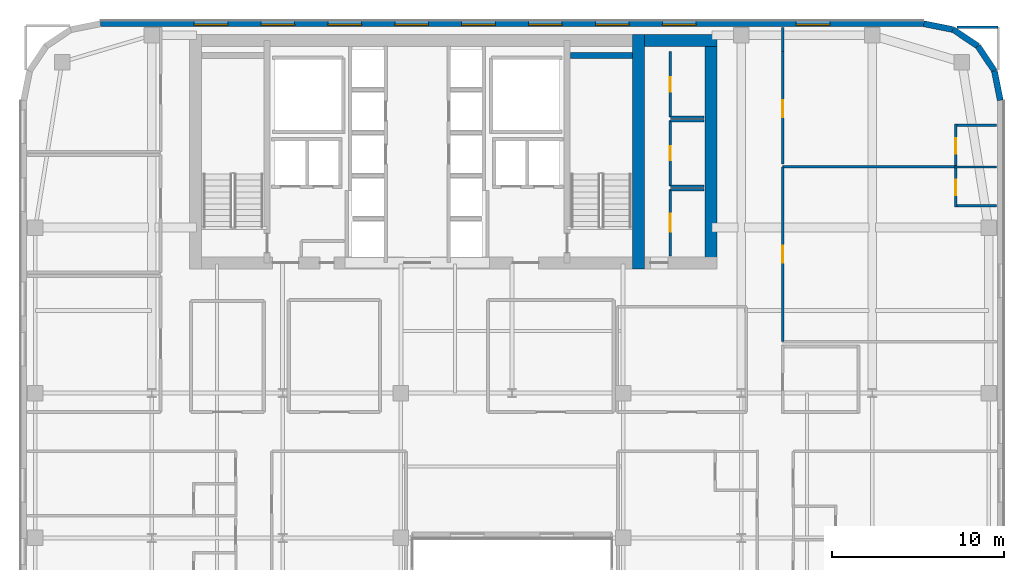
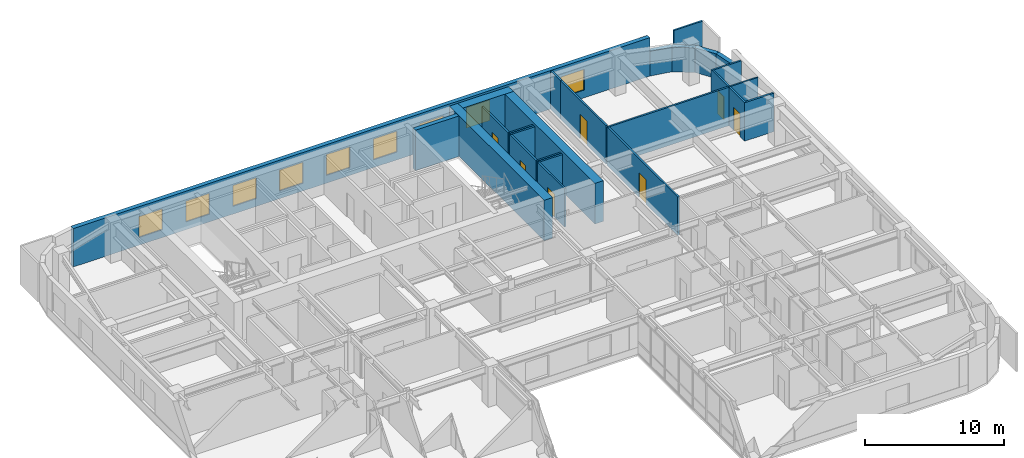
# One storey, part 19 of 25: 26 walls, 9 windows, 7 doors, 16 openings.
"""IFC4 building model written with IfcOpenShell, lengths in metres."""

from ifc_helpers import new_model, si_unit, direction, frame, frame_2d, origin, place, context, subcontext, project, spatial, rectangle, extrude, source, transform, mapped, material, layer, layer_set, type_object, type_shapes, element, fill, save


model = new_model("IFC4")

# Units and contexts
model_context = context("Model", 3, precision=1e-05, world=origin(), true_north=direction((0.0, 1.0)))
body_context = subcontext(model_context, "Body", "Model", "MODEL_VIEW")
ifc_project = project(units=[si_unit("LENGTHUNIT", "METRE"), si_unit("AREAUNIT", "SQUARE_METRE"), si_unit("VOLUMEUNIT", "CUBIC_METRE"), si_unit("PLANEANGLEUNIT", "RADIAN"), si_unit("MASSUNIT", "GRAM", prefix="KILO")], contexts=[model_context])

# Site, building, storey
site_placement = place(None, origin())
site = spatial("IfcSite", under=ifc_project, at=site_placement, CompositionType="ELEMENT")
building_placement = place(site_placement, origin())
building = spatial("IfcBuilding", under=site, at=building_placement, Name="Tolvann Quenvar Hotel", CompositionType="ELEMENT")
storey_placement = place(building_placement, frame((0.0, 0.0, 111.550048828125)))
storey = spatial("IfcBuildingStorey", under=building, at=storey_placement, Name="L28", CompositionType="ELEMENT", Elevation=111.550048828125)

# Walls
ifc_material_1 = material(Name="Concrete S65 (65 MPa)", Category="concrete")
ifc_layer_1 = layer(ifc_material_1, 0.699951171875)
ifc_layer_set_1 = layer_set([ifc_layer_1], Name="Concrete S65 (65 MPa)")
wall_type_1 = type_object("IfcWallType", Name="WALL_CORE_700", PredefinedType="SHEAR", material=ifc_layer_set_1)
wall_1_placement = place(storey_placement, frame((35.85009765625, 31.60009765625, 0.0), z_axis=(0.0, 0.0, 1.0), x_axis=(0.0, 1.0, 0.0)))
element("IfcWall", 1, at=wall_1_placement, inside=storey, type_object=wall_type_1, Name="Rear Core E Shear Wall (L28)", PredefinedType="SHEAR", context=body_context, shape_type="SweptSolid", body=[
    extrude(rectangle(XDim=13.599853515625, YDim=0.699951171875, at=frame_2d((6.7998046875, 0.0))), origin(), (0.0, 0.0, 1.0), 3.550048828125),
])
wall_2_placement = place(storey_placement, frame((36.199951171875, 44.85009765625, 0.0), z_axis=(0.0, 0.0, 1.0), x_axis=(1.0, 0.0, 0.0)))
element("IfcWall", 2, at=wall_2_placement, inside=storey, type_object=wall_type_1, Name="Core East Annex Shear Wall ANN-N (L28)", PredefinedType="SHEAR", context=body_context, shape_type="SweptSolid", body=[
    extrude(rectangle(XDim=4.199951171875, YDim=0.699951171875, at=frame_2d((2.10009765625, 0.0))), origin(), (0.0, 0.0, 1.0), 3.550048828125),
])
wall_3_placement = place(storey_placement, frame((40.050048828125, 31.60009765625, 0.0), z_axis=(0.0, 0.0, 1.0), x_axis=(0.0, 1.0, 0.0)))
element("IfcWall", 3, at=wall_3_placement, inside=storey, type_object=wall_type_1, Name="Core East Annex Shear Wall ANN-E (L28)", PredefinedType="SHEAR", context=body_context, shape_type="SweptSolid", body=[
    extrude(rectangle(XDim=13.599853515625, YDim=0.699951171875, at=frame_2d((6.7998046875, 0.0))), origin(), (0.0, 0.0, 1.0), 3.550048828125),
])
ifc_layer_2 = layer(ifc_material_1, 0.35009765625)
ifc_layer_set_2 = layer_set([ifc_layer_2], Name="Concrete S65 (65 MPa)")
wall_type_2 = type_object("IfcWallType", Name="WALL_CORE_INT_350", PredefinedType="SHEAR", material=ifc_layer_set_2)
wall_4_placement = place(storey_placement, frame((31.8798828125, 43.97509765625, 0.0), z_axis=(0.0, 0.0, 1.0), x_axis=(1.0, 0.0, 0.0)))
element("IfcWall", 4, at=wall_4_placement, inside=storey, type_object=wall_type_2, Name="Core Stair North Closing Shear Wall STC2-N (L28)", PredefinedType="SHEAR", context=body_context, shape_type="SweptSolid", body=[
    extrude(rectangle(XDim=3.60009765625, YDim=0.35009765625, at=frame_2d((1.800048828125, 0.0))), origin(), (0.0, 0.0, 1.0), 3.550048828125),
])
ifc_material_2 = material(Name="Kiln-fired red and buff architectural clay brickwork and terracotta masonry", Category="masonry")
ifc_layer_3 = layer(ifc_material_2, 0.35009765625)
ifc_layer_set_3 = layer_set([ifc_layer_3], Name="Kiln-fired red and buff architectural clay brickwork and terracotta masonry")
wall_type_3 = type_object("IfcWallType", Name="WALL_EXT_BRICK_350", PredefinedType="SOLIDWALL", material=ifc_layer_set_3)
wall_5_placement = place(storey_placement, frame((56.824951171875, 41.3828125, 0.0), z_axis=(0.0, 0.0, 1.0), x_axis=(-0.195011420161, 0.980800971659, 0.0)))
element("IfcWall", 5, at=wall_5_placement, inside=storey, type_object=wall_type_3, Name="Exterior Chicago Brick Wall L28-E14", PredefinedType="SOLIDWALL", context=body_context, shape_type="SweptSolid", body=[
    extrude(rectangle(XDim=1.74267578125, YDim=0.35009765625, at=frame_2d((0.871337890625, 0.0))), origin(), (0.0, 0.0, 1.0), 2.159912109375),
])
for number, where, z_axis, x_axis, name in (
    (6, (56.485107421875, 43.092041015625, 0.0), (0.0, 0.0, 1.0), (-0.55554893791, 0.831483840845, 0.0), "Exterior Chicago Brick Wall L28-E15"),
    (7, (55.526611328125, 44.526611328125, 0.0), (0.0, 0.0, 1.0), (-0.831483840845, 0.55554893791, 0.0), "Exterior Chicago Brick Wall L28-E16"),
):
    element("IfcWall", number, at=place(storey_placement, frame(where, z_axis=z_axis, x_axis=x_axis)), inside=storey, type_object=wall_type_3, Name=name, PredefinedType="SOLIDWALL", context=body_context, shape_type="SweptSolid", body=[
        extrude(rectangle(XDim=1.725341796875, YDim=0.35009765625, at=frame_2d((0.86279296875, 0.0))), origin(), (0.0, 0.0, 1.0), 2.159912109375),
    ])
wall_6_placement = place(storey_placement, frame((54.092041015625, 45.485107421875, 0.0), z_axis=(0.0, 0.0, 1.0), x_axis=(-0.980800971659, 0.195011420161, 0.0)))
element("IfcWall", 8, at=wall_6_placement, inside=storey, type_object=wall_type_3, Name="Exterior Chicago Brick Wall L28-E17", PredefinedType="SOLIDWALL", context=body_context, shape_type="SweptSolid", body=[
    extrude(rectangle(XDim=1.74267578125, YDim=0.35009765625, at=frame_2d((0.871337890625, 0.0))), origin(), (0.0, 0.0, 1.0), 2.159912109375),
])

# Wall, openings, windows
wall_7_placement = place(storey_placement, frame((52.3828125, 45.824951171875, 0.0), z_axis=(0.0, 0.0, 1.0), x_axis=(-1.0, 0.0, 0.0)))
wall_7 = element("IfcWall", 9, at=wall_7_placement, inside=storey, type_object=wall_type_3, Name="Exterior Chicago Brick Wall L28-E18", PredefinedType="SOLIDWALL", context=body_context, shape_type="SweptSolid", body=[
    extrude(rectangle(XDim=47.765625, YDim=0.35009765625, at=frame_2d((23.8828125, 0.0))), origin(), (0.0, 0.0, 1.0), 3.369873046875),
])
opening_1_placement = place(wall_7_placement, frame((5.446044921875, 0.0, 0.679931640625)))
opening_1 = element("IfcOpeningElement", 10, at=opening_1_placement, cuts=wall_7, Name="Opening W-10", PredefinedType="OPENING", context=body_context, shape_type="SweptSolid", body=[
    extrude(rectangle(XDim=1.949951171875, YDim=1.820068359375, at=frame_2d((0.97509765625, 0.91015625))), frame((0.0, 0.18505859375, 0.0), z_axis=(0.0, -1.0, 0.0), x_axis=(1.0, 0.0, 0.0)), (0.0, 0.0, 1.0), 0.3701171875),
])
opening_2_placement = place(wall_7_placement, frame((13.20703125, 0.0, 0.679931640625)))
opening_2 = element("IfcOpeningElement", 11, at=opening_2_placement, cuts=wall_7, Name="Opening W-10", PredefinedType="OPENING", context=body_context, shape_type="SweptSolid", body=[
    extrude(rectangle(XDim=1.949951171875, YDim=1.820068359375, at=frame_2d((0.97509765625, 0.91015625))), frame((0.0, 0.18505859375, 0.0), z_axis=(0.0, -1.0, 0.0), x_axis=(1.0, 0.0, 0.0)), (0.0, 0.0, 1.0), 0.3701171875),
])
opening_3_placement = place(wall_7_placement, frame((17.0869140625, 0.0, 0.679931640625)))
opening_3 = element("IfcOpeningElement", 12, at=opening_3_placement, cuts=wall_7, Name="Opening W-10", PredefinedType="OPENING", context=body_context, shape_type="SweptSolid", body=[
    extrude(rectangle(XDim=1.949951171875, YDim=1.820068359375, at=frame_2d((0.97509765625, 0.91015625))), frame((0.0, 0.18505859375, 0.0), z_axis=(0.0, -1.0, 0.0), x_axis=(1.0, 0.0, 0.0)), (0.0, 0.0, 1.0), 0.3701171875),
])
opening_4_placement = place(wall_7_placement, frame((20.968017578125, 0.0, 0.679931640625)))
opening_4 = element("IfcOpeningElement", 13, at=opening_4_placement, cuts=wall_7, Name="Opening W-10", PredefinedType="OPENING", context=body_context, shape_type="SweptSolid", body=[
    extrude(rectangle(XDim=1.949951171875, YDim=1.820068359375, at=frame_2d((0.97509765625, 0.91015625))), frame((0.0, 0.18505859375, 0.0), z_axis=(0.0, -1.0, 0.0), x_axis=(1.0, 0.0, 0.0)), (0.0, 0.0, 1.0), 0.3701171875),
])
opening_5_placement = place(wall_7_placement, frame((24.847900390625, 0.0, 0.679931640625)))
opening_5 = element("IfcOpeningElement", 14, at=opening_5_placement, cuts=wall_7, Name="Opening W-10", PredefinedType="OPENING", context=body_context, shape_type="SweptSolid", body=[
    extrude(rectangle(XDim=1.949951171875, YDim=1.820068359375, at=frame_2d((0.97509765625, 0.91015625))), frame((0.0, 0.18505859375, 0.0), z_axis=(0.0, -1.0, 0.0), x_axis=(1.0, 0.0, 0.0)), (0.0, 0.0, 1.0), 0.3701171875),
])
opening_6_placement = place(wall_7_placement, frame((28.72900390625, 0.0, 0.679931640625)))
opening_6 = element("IfcOpeningElement", 15, at=opening_6_placement, cuts=wall_7, Name="Opening W-10", PredefinedType="OPENING", context=body_context, shape_type="SweptSolid", body=[
    extrude(rectangle(XDim=1.949951171875, YDim=1.820068359375, at=frame_2d((0.97509765625, 0.91015625))), frame((0.0, 0.18505859375, 0.0), z_axis=(0.0, -1.0, 0.0), x_axis=(1.0, 0.0, 0.0)), (0.0, 0.0, 1.0), 0.3701171875),
])
opening_7_placement = place(wall_7_placement, frame((32.60888671875, 0.0, 0.679931640625)))
opening_7 = element("IfcOpeningElement", 16, at=opening_7_placement, cuts=wall_7, Name="Opening W-10", PredefinedType="OPENING", context=body_context, shape_type="SweptSolid", body=[
    extrude(rectangle(XDim=1.949951171875, YDim=1.820068359375, at=frame_2d((0.97509765625, 0.91015625))), frame((0.0, 0.18505859375, 0.0), z_axis=(0.0, -1.0, 0.0), x_axis=(1.0, 0.0, 0.0)), (0.0, 0.0, 1.0), 0.3701171875),
])
opening_8_placement = place(wall_7_placement, frame((36.489013671875, 0.0, 0.679931640625)))
opening_8 = element("IfcOpeningElement", 17, at=opening_8_placement, cuts=wall_7, Name="Opening W-10", PredefinedType="OPENING", context=body_context, shape_type="SweptSolid", body=[
    extrude(rectangle(XDim=1.949951171875, YDim=1.820068359375, at=frame_2d((0.97509765625, 0.91015625))), frame((0.0, 0.18505859375, 0.0), z_axis=(0.0, -1.0, 0.0), x_axis=(1.0, 0.0, 0.0)), (0.0, 0.0, 1.0), 0.3701171875),
])
opening_9_placement = place(wall_7_placement, frame((40.3701171875, 0.0, 0.679931640625)))
opening_9 = element("IfcOpeningElement", 18, at=opening_9_placement, cuts=wall_7, Name="Opening W-10", PredefinedType="OPENING", context=body_context, shape_type="SweptSolid", body=[
    extrude(rectangle(XDim=1.949951171875, YDim=1.820068359375, at=frame_2d((0.97509765625, 0.91015625))), frame((0.0, 0.18505859375, 0.0), z_axis=(0.0, -1.0, 0.0), x_axis=(1.0, 0.0, 0.0)), (0.0, 0.0, 1.0), 0.3701171875),
])
ifc_material_3 = material(Name="Thermally broken bronze-anodised aluminium frame with double low-E glazing", Category="aluminium")
window_type = type_object("IfcWindowType", Name="WIN_CLB_1950x1850", PartitioningType="DOUBLE_PANEL_VERTICAL", PredefinedType="WINDOW", material=ifc_material_3)
shared_shape_1 = source(origin(), body_context, "Body", "SweptSolid", [
    extrude(rectangle(XDim=1.949951171875, YDim=1.820068359375, at=frame_2d((0.97509765625, 0.91015625))), frame((0.0, 0.090087890625, 0.0), z_axis=(0.0, -1.0, 0.0), x_axis=(1.0, 0.0, 0.0)), (0.0, 0.0, 1.0), 0.06005859375),
])
type_shapes(window_type, [shared_shape_1])
window_1_placement = place(opening_1_placement, origin())
window_1 = element("IfcWindow", 19, at=window_1_placement, inside=storey, type_object=window_type, Name="Chicago Window W-10 (EW-L28-E18-W01)", OverallHeight=1.820068359375, OverallWidth=1.949951171875, PartitioningType="DOUBLE_PANEL_VERTICAL", PredefinedType="WINDOW", context=body_context, shape_type="MappedRepresentation", body=[
    mapped(shared_shape_1, transform((0.0, 0.0, 0.0), x_axis=(1.0, 0.0, 0.0), y_axis=(0.0, 1.0, 0.0), z_axis=(0.0, 0.0, 1.0), scale=1.0)),
])
fill(opening_1, window_1)
window_2_placement = place(opening_2_placement, origin())
window_2 = element("IfcWindow", 20, at=window_2_placement, inside=storey, type_object=window_type, Name="Chicago Window W-10 (EW-L28-E18-W02)", OverallHeight=1.820068359375, OverallWidth=1.949951171875, PartitioningType="DOUBLE_PANEL_VERTICAL", PredefinedType="WINDOW", context=body_context, shape_type="MappedRepresentation", body=[
    mapped(shared_shape_1, transform((0.0, 0.0, 0.0), x_axis=(1.0, 0.0, 0.0), y_axis=(0.0, 1.0, 0.0), z_axis=(0.0, 0.0, 1.0), scale=1.0)),
])
fill(opening_2, window_2)
window_3_placement = place(opening_3_placement, origin())
window_3 = element("IfcWindow", 21, at=window_3_placement, inside=storey, type_object=window_type, Name="Chicago Window W-10 (EW-L28-E18-W03)", OverallHeight=1.820068359375, OverallWidth=1.949951171875, PartitioningType="DOUBLE_PANEL_VERTICAL", PredefinedType="WINDOW", context=body_context, shape_type="MappedRepresentation", body=[
    mapped(shared_shape_1, transform((0.0, 0.0, 0.0), x_axis=(1.0, 0.0, 0.0), y_axis=(0.0, 1.0, 0.0), z_axis=(0.0, 0.0, 1.0), scale=1.0)),
])
fill(opening_3, window_3)
window_4_placement = place(opening_4_placement, origin())
window_4 = element("IfcWindow", 22, at=window_4_placement, inside=storey, type_object=window_type, Name="Chicago Window W-10 (EW-L28-E18-W04)", OverallHeight=1.820068359375, OverallWidth=1.949951171875, PartitioningType="DOUBLE_PANEL_VERTICAL", PredefinedType="WINDOW", context=body_context, shape_type="MappedRepresentation", body=[
    mapped(shared_shape_1, transform((0.0, 0.0, 0.0), x_axis=(1.0, 0.0, 0.0), y_axis=(0.0, 1.0, 0.0), z_axis=(0.0, 0.0, 1.0), scale=1.0)),
])
fill(opening_4, window_4)
window_5_placement = place(opening_5_placement, origin())
window_5 = element("IfcWindow", 23, at=window_5_placement, inside=storey, type_object=window_type, Name="Chicago Window W-10 (EW-L28-E18-W05)", OverallHeight=1.820068359375, OverallWidth=1.949951171875, PartitioningType="DOUBLE_PANEL_VERTICAL", PredefinedType="WINDOW", context=body_context, shape_type="MappedRepresentation", body=[
    mapped(shared_shape_1, transform((0.0, 0.0, 0.0), x_axis=(1.0, 0.0, 0.0), y_axis=(0.0, 1.0, 0.0), z_axis=(0.0, 0.0, 1.0), scale=1.0)),
])
fill(opening_5, window_5)
window_6_placement = place(opening_6_placement, origin())
window_6 = element("IfcWindow", 24, at=window_6_placement, inside=storey, type_object=window_type, Name="Chicago Window W-10 (EW-L28-E18-W06)", OverallHeight=1.820068359375, OverallWidth=1.949951171875, PartitioningType="DOUBLE_PANEL_VERTICAL", PredefinedType="WINDOW", context=body_context, shape_type="MappedRepresentation", body=[
    mapped(shared_shape_1, transform((0.0, 0.0, 0.0), x_axis=(1.0, 0.0, 0.0), y_axis=(0.0, 1.0, 0.0), z_axis=(0.0, 0.0, 1.0), scale=1.0)),
])
fill(opening_6, window_6)
window_7_placement = place(opening_7_placement, origin())
window_7 = element("IfcWindow", 25, at=window_7_placement, inside=storey, type_object=window_type, Name="Chicago Window W-10 (EW-L28-E18-W07)", OverallHeight=1.820068359375, OverallWidth=1.949951171875, PartitioningType="DOUBLE_PANEL_VERTICAL", PredefinedType="WINDOW", context=body_context, shape_type="MappedRepresentation", body=[
    mapped(shared_shape_1, transform((0.0, 0.0, 0.0), x_axis=(1.0, 0.0, 0.0), y_axis=(0.0, 1.0, 0.0), z_axis=(0.0, 0.0, 1.0), scale=1.0)),
])
fill(opening_7, window_7)
window_8_placement = place(opening_8_placement, origin())
window_8 = element("IfcWindow", 26, at=window_8_placement, inside=storey, type_object=window_type, Name="Chicago Window W-10 (EW-L28-E18-W08)", OverallHeight=1.820068359375, OverallWidth=1.949951171875, PartitioningType="DOUBLE_PANEL_VERTICAL", PredefinedType="WINDOW", context=body_context, shape_type="MappedRepresentation", body=[
    mapped(shared_shape_1, transform((0.0, 0.0, 0.0), x_axis=(1.0, 0.0, 0.0), y_axis=(0.0, 1.0, 0.0), z_axis=(0.0, 0.0, 1.0), scale=1.0)),
])
fill(opening_8, window_8)
window_9_placement = place(opening_9_placement, origin())
window_9 = element("IfcWindow", 27, at=window_9_placement, inside=storey, type_object=window_type, Name="Chicago Window W-10 (EW-L28-E18-W09)", OverallHeight=1.820068359375, OverallWidth=1.949951171875, PartitioningType="DOUBLE_PANEL_VERTICAL", PredefinedType="WINDOW", context=body_context, shape_type="MappedRepresentation", body=[
    mapped(shared_shape_1, transform((0.0, 0.0, 0.0), x_axis=(1.0, 0.0, 0.0), y_axis=(0.0, 1.0, 0.0), z_axis=(0.0, 0.0, 1.0), scale=1.0)),
])
fill(opening_9, window_9)

# Wall
ifc_material_4 = material(Name="Moisture-resistant acoustic plumbing wall assembly")
ifc_layer_4 = layer(ifc_material_4, 0.1201171875)
ifc_layer_set_4 = layer_set([ifc_layer_4], Name="Moisture-resistant acoustic plumbing wall assembly")
wall_type_4 = type_object("IfcWallType", Name="WALL_PART_BATH_120", PredefinedType="PLUMBINGWALL", material=ifc_layer_set_4)
wall_8_placement = place(storey_placement, frame((54.179931640625, 37.52001953125, 0.0), z_axis=(0.0, 0.0, 1.0), x_axis=(1.0, 0.0, 0.0)))
element("IfcWall", 28, at=wall_8_placement, inside=storey, type_object=wall_type_4, Name="Non-Rated Plumbing Partition PT-SPC-L28-ENS-NE01-N", PredefinedType="PLUMBINGWALL", context=body_context, shape_type="SweptSolid", body=[
    extrude(rectangle(XDim=2.4150390625, YDim=0.1201171875, at=frame_2d((1.20751953125, 0.0))), origin(), (0.0, 0.0, 1.0), 3.369873046875),
])

# Wall, opening, door
ifc_material_5 = material(Name="Acoustic twin-stud fire-rated gypsum plasterboard partition")
ifc_layer_5 = layer(ifc_material_5, 0.14990234375)
ifc_layer_set_5 = layer_set([ifc_layer_5], Name="Acoustic twin-stud fire-rated gypsum plasterboard partition")
wall_type_5 = type_object("IfcWallType", Name="WALL_PART_SUITE_150", PredefinedType="PARTITIONING", material=ifc_layer_set_5)
wall_9_placement = place(storey_placement, frame((54.25, 35.199951171875, 0.0), z_axis=(0.0, 0.0, 1.0), x_axis=(0.0, 1.0, 0.0)))
wall_9 = element("IfcWall", 29, at=wall_9_placement, inside=storey, type_object=wall_type_5, Name="Interior Partition PT-SPC-L28-ENS-NE01-ENT", PredefinedType="PARTITIONING", context=body_context, shape_type="SweptSolid", body=[
    extrude(rectangle(XDim=2.39013671875, YDim=0.14990234375, at=frame_2d((1.195068359375, 0.0))), origin(), (0.0, 0.0, 1.0), 3.369873046875),
])
opening_10_placement = place(wall_9_placement, frame((0.6650390625, 0.0, 0.0)))
opening_10 = element("IfcOpeningElement", 30, at=opening_10_placement, cuts=wall_9, Name="Opening WD-01", PredefinedType="OPENING", context=body_context, shape_type="SweptSolid", body=[
    extrude(rectangle(XDim=0.919921875, YDim=2.010009765625, at=frame_2d((0.4599609375, 1.0048828125))), frame((0.0, 0.0849609375, 0.0), z_axis=(0.0, -1.0, 0.0), x_axis=(1.0, 0.0, 0.0)), (0.0, 0.0, 1.0), 0.169921875),
])
ifc_material_6 = material(Name="Solid-core American oak acoustic fire door leaf in steel frame", Category="steel")
door_type_1 = type_object("IfcDoorType", Name="DOOR_WC_920", OperationType="NOTDEFINED", PredefinedType="DOOR", material=ifc_material_6)
shared_shape_2 = source(origin(), body_context, "Body", "SweptSolid", [
    extrude(rectangle(XDim=0.919921875, YDim=2.010009765625, at=frame_2d((0.4599609375, 1.0048828125))), frame((0.0, 0.02490234375, 0.0), z_axis=(0.0, -1.0, 0.0), x_axis=(1.0, 0.0, 0.0)), (0.0, 0.0, 1.0), 0.050048828125),
])
type_shapes(door_type_1, [shared_shape_2])
door_1_placement = place(opening_10_placement, origin())
door_1 = element("IfcDoor", 31, at=door_1_placement, inside=storey, type_object=door_type_1, Name="Interior Door DOOR-SPC-L28-ENS-NE01", OperationType="SINGLE_SWING_LEFT", OverallHeight=2.010009765625, OverallWidth=0.919921875, PredefinedType="DOOR", context=body_context, shape_type="MappedRepresentation", body=[
    mapped(shared_shape_2, transform((0.0, 0.0, 0.0), x_axis=(1.0, 0.0, 0.0), y_axis=(0.0, 1.0, 0.0), z_axis=(0.0, 0.0, 1.0), scale=1.0)),
])
fill(opening_10, door_1)

# Wall
wall_10_placement = place(storey_placement, frame((54.179931640625, 35.27001953125, 0.0), z_axis=(0.0, 0.0, 1.0), x_axis=(1.0, 0.0, 0.0)))
element("IfcWall", 32, at=wall_10_placement, inside=storey, type_object=wall_type_5, Name="Interior Partition PT-SPC-L28-ENS-NE01-S", PredefinedType="PARTITIONING", context=body_context, shape_type="SweptSolid", body=[
    extrude(rectangle(XDim=2.4150390625, YDim=0.14990234375, at=frame_2d((1.20751953125, 0.0))), origin(), (0.0, 0.0, 1.0), 3.369873046875),
])

# Wall, opening, door
wall_11_placement = place(storey_placement, frame((54.25, 37.610107421875, 0.0), z_axis=(0.0, 0.0, 1.0), x_axis=(0.0, 1.0, 0.0)))
wall_11 = element("IfcWall", 33, at=wall_11_placement, inside=storey, type_object=wall_type_5, Name="Interior Partition PT-SPC-L28-ENS-NE02-ENT", PredefinedType="PARTITIONING", context=body_context, shape_type="SweptSolid", body=[
    extrude(rectangle(XDim=2.389892578125, YDim=0.14990234375, at=frame_2d((1.19482421875, 0.0))), origin(), (0.0, 0.0, 1.0), 3.369873046875),
])
opening_11_placement = place(wall_11_placement, frame((0.6650390625, 0.0, 0.0)))
opening_11 = element("IfcOpeningElement", 34, at=opening_11_placement, cuts=wall_11, Name="Opening WD-01", PredefinedType="OPENING", context=body_context, shape_type="SweptSolid", body=[
    extrude(rectangle(XDim=0.919921875, YDim=2.010009765625, at=frame_2d((0.4599609375, 1.0048828125))), frame((0.0, 0.0849609375, 0.0), z_axis=(0.0, -1.0, 0.0), x_axis=(1.0, 0.0, 0.0)), (0.0, 0.0, 1.0), 0.169921875),
])
door_2_placement = place(opening_11_placement, origin())
door_2 = element("IfcDoor", 35, at=door_2_placement, inside=storey, type_object=door_type_1, Name="Interior Door DOOR-SPC-L28-ENS-NE02", OperationType="SINGLE_SWING_RIGHT", OverallHeight=2.010009765625, OverallWidth=0.919921875, PredefinedType="DOOR", context=body_context, shape_type="MappedRepresentation", body=[
    mapped(shared_shape_2, transform((0.0, 0.0, 0.0), x_axis=(1.0, 0.0, 0.0), y_axis=(0.0, 1.0, 0.0), z_axis=(0.0, 0.0, 1.0), scale=1.0)),
])
fill(opening_11, door_2)

# Walls
wall_12_placement = place(storey_placement, frame((54.179931640625, 39.929931640625, 0.0), z_axis=(0.0, 0.0, 1.0), x_axis=(1.0, 0.0, 0.0)))
element("IfcWall", 36, at=wall_12_placement, inside=storey, type_object=wall_type_5, Name="Interior Partition PT-SPC-L28-ENS-NE02-N", PredefinedType="PARTITIONING", context=body_context, shape_type="SweptSolid", body=[
    extrude(rectangle(XDim=2.4150390625, YDim=0.14990234375, at=frame_2d((1.20751953125, 0.0))), origin(), (0.0, 0.0, 1.0), 3.369873046875),
])
wall_13_placement = place(storey_placement, frame((37.679931640625, 36.199951171875, 0.0), z_axis=(0.0, 0.0, 1.0), x_axis=(1.0, 0.0, 0.0)))
element("IfcWall", 37, at=wall_13_placement, inside=storey, type_object=wall_type_5, Name="Interior Partition PT-SPC-L28-RECPL-1-N", PredefinedType="PARTITIONING", context=body_context, shape_type="SweptSolid", body=[
    extrude(rectangle(XDim=1.965087890625, YDim=0.14990234375, at=frame_2d((0.982421875, 0.0))), origin(), (0.0, 0.0, 1.0), 3.369873046875),
])

# Wall, opening, door
wall_14_placement = place(storey_placement, frame((37.679931640625, 32.35498046875, 0.0), z_axis=(0.0, 0.0, 1.0), x_axis=(0.0, 1.0, 0.0)))
wall_14 = element("IfcWall", 38, at=wall_14_placement, inside=storey, type_object=wall_type_5, Name="Interior Partition PT-SPC-L28-RECPL-1-W", PredefinedType="PARTITIONING", context=body_context, shape_type="SweptSolid", body=[
    extrude(rectangle(XDim=3.844970703125, YDim=0.14990234375, at=frame_2d((1.92236328125, 0.0))), origin(), (0.0, 0.0, 1.0), 3.369873046875),
])
opening_12_placement = place(wall_14_placement, frame((1.41259765625, 0.0, 0.0)))
opening_12 = element("IfcOpeningElement", 39, at=opening_12_placement, cuts=wall_14, Name="Opening HD-01", PredefinedType="OPENING", context=body_context, shape_type="SweptSolid", body=[
    extrude(rectangle(XDim=1.02001953125, YDim=2.030029296875, at=frame_2d((0.510009765625, 1.01513671875))), frame((0.0, 0.0849609375, 0.0), z_axis=(0.0, -1.0, 0.0), x_axis=(1.0, 0.0, 0.0)), (0.0, 0.0, 1.0), 0.169921875),
])
ifc_material_7 = material(Name="Pressed galvanised steel fire-rated door set", Category="steel")
door_type_2 = type_object("IfcDoorType", Name="DOOR_BOH_1020", OperationType="NOTDEFINED", PredefinedType="DOOR", material=ifc_material_7)
shared_shape_3 = source(origin(), body_context, "Body", "SweptSolid", [
    extrude(rectangle(XDim=1.02001953125, YDim=2.030029296875, at=frame_2d((0.510009765625, 1.01513671875))), frame((0.0, 0.02490234375, 0.0), z_axis=(0.0, -1.0, 0.0), x_axis=(1.0, 0.0, 0.0)), (0.0, 0.0, 1.0), 0.050048828125),
])
type_shapes(door_type_2, [shared_shape_3])
door_3_placement = place(opening_12_placement, origin())
door_3 = element("IfcDoor", 40, at=door_3_placement, inside=storey, type_object=door_type_2, Name="Interior Door DOOR-SPC-L28-RECPL-1", OperationType="SINGLE_SWING_LEFT", OverallHeight=2.030029296875, OverallWidth=1.02001953125, PredefinedType="DOOR", context=body_context, shape_type="MappedRepresentation", body=[
    mapped(shared_shape_3, transform((0.0, 0.0, 0.0), x_axis=(1.0, 0.0, 0.0), y_axis=(0.0, 1.0, 0.0), z_axis=(0.0, 0.0, 1.0), scale=1.0)),
])
fill(opening_12, door_3)

# Walls
for number, where, z_axis, x_axis, name in (
    (41, (37.679931640625, 36.39990234375, 0.0), (0.0, 0.0, 1.0), (1.0, 0.0, 0.0), "Interior Partition PT-SPC-L28-CSE-1-S"),
    (42, (37.679931640625, 40.199951171875, 0.0), (0.0, 0.0, 1.0), (1.0, 0.0, 0.0), "Interior Partition PT-SPC-L28-CSE-1-N"),
):
    element("IfcWall", number, at=place(storey_placement, frame(where, z_axis=z_axis, x_axis=x_axis)), inside=storey, type_object=wall_type_5, Name=name, PredefinedType="PARTITIONING", context=body_context, shape_type="SweptSolid", body=[
        extrude(rectangle(XDim=1.965087890625, YDim=0.14990234375, at=frame_2d((0.982421875, 0.0))), origin(), (0.0, 0.0, 1.0), 3.369873046875),
    ])

# Wall, opening, door
wall_15_placement = place(storey_placement, frame((37.679931640625, 36.39990234375, 0.0), z_axis=(0.0, 0.0, 1.0), x_axis=(0.0, 1.0, 0.0)))
wall_15 = element("IfcWall", 43, at=wall_15_placement, inside=storey, type_object=wall_type_5, Name="Interior Partition PT-SPC-L28-CSE-1-W", PredefinedType="PARTITIONING", context=body_context, shape_type="SweptSolid", body=[
    extrude(rectangle(XDim=3.800048828125, YDim=0.14990234375, at=frame_2d((1.89990234375, 0.0))), origin(), (0.0, 0.0, 1.0), 3.369873046875),
])
opening_13_placement = place(wall_15_placement, frame((1.489990234375, 0.0, 0.0)))
opening_13 = element("IfcOpeningElement", 44, at=opening_13_placement, cuts=wall_15, Name="Opening HD-02", PredefinedType="OPENING", context=body_context, shape_type="SweptSolid", body=[
    extrude(rectangle(XDim=0.820068359375, YDim=2.010009765625, at=frame_2d((0.41015625, 1.0048828125))), frame((0.0, 0.0849609375, 0.0), z_axis=(0.0, -1.0, 0.0), x_axis=(1.0, 0.0, 0.0)), (0.0, 0.0, 1.0), 0.169921875),
])
door_type_3 = type_object("IfcDoorType", Name="DOOR_STORE_820", OperationType="NOTDEFINED", PredefinedType="DOOR", material=ifc_material_7)
shared_shape_4 = source(origin(), body_context, "Body", "SweptSolid", [
    extrude(rectangle(XDim=0.820068359375, YDim=2.010009765625, at=frame_2d((0.41015625, 1.0048828125))), frame((0.0, 0.02490234375, 0.0), z_axis=(0.0, -1.0, 0.0), x_axis=(1.0, 0.0, 0.0)), (0.0, 0.0, 1.0), 0.050048828125),
])
type_shapes(door_type_3, [shared_shape_4])
door_4_placement = place(opening_13_placement, origin())
door_4 = element("IfcDoor", 45, at=door_4_placement, inside=storey, type_object=door_type_3, Name="Interior Door DOOR-SPC-L28-CSE-1", OperationType="SINGLE_SWING_RIGHT", OverallHeight=2.010009765625, OverallWidth=0.820068359375, PredefinedType="DOOR", context=body_context, shape_type="MappedRepresentation", body=[
    mapped(shared_shape_4, transform((0.0, 0.0, 0.0), x_axis=(1.0, 0.0, 0.0), y_axis=(0.0, 1.0, 0.0), z_axis=(0.0, 0.0, 1.0), scale=1.0)),
])
fill(opening_13, door_4)

# Wall
wall_16_placement = place(storey_placement, frame((37.679931640625, 40.39990234375, 0.0), z_axis=(0.0, 0.0, 1.0), x_axis=(1.0, 0.0, 0.0)))
element("IfcWall", 46, at=wall_16_placement, inside=storey, type_object=wall_type_5, Name="Interior Partition PT-SPC-L28-CSE-2-S", PredefinedType="PARTITIONING", context=body_context, shape_type="SweptSolid", body=[
    extrude(rectangle(XDim=1.965087890625, YDim=0.14990234375, at=frame_2d((0.982421875, 0.0))), origin(), (0.0, 0.0, 1.0), 3.369873046875),
])

# Wall, opening, door
wall_17_placement = place(storey_placement, frame((37.679931640625, 40.39990234375, 0.0), z_axis=(0.0, 0.0, 1.0), x_axis=(0.0, 1.0, 0.0)))
wall_17 = element("IfcWall", 47, at=wall_17_placement, inside=storey, type_object=wall_type_5, Name="Interior Partition PT-SPC-L28-CSE-2-W", PredefinedType="PARTITIONING", context=body_context, shape_type="SweptSolid", body=[
    extrude(rectangle(XDim=3.800048828125, YDim=0.14990234375, at=frame_2d((1.89990234375, 0.0))), origin(), (0.0, 0.0, 1.0), 3.369873046875),
])
opening_14_placement = place(wall_17_placement, frame((1.489990234375, 0.0, 0.0)))
opening_14 = element("IfcOpeningElement", 48, at=opening_14_placement, cuts=wall_17, Name="Opening HD-02", PredefinedType="OPENING", context=body_context, shape_type="SweptSolid", body=[
    extrude(rectangle(XDim=0.820068359375, YDim=2.010009765625, at=frame_2d((0.41015625, 1.0048828125))), frame((0.0, 0.0849609375, 0.0), z_axis=(0.0, -1.0, 0.0), x_axis=(1.0, 0.0, 0.0)), (0.0, 0.0, 1.0), 0.169921875),
])
door_5_placement = place(opening_14_placement, origin())
door_5 = element("IfcDoor", 49, at=door_5_placement, inside=storey, type_object=door_type_3, Name="Interior Door DOOR-SPC-L28-CSE-2", OperationType="SINGLE_SWING_LEFT", OverallHeight=2.010009765625, OverallWidth=0.820068359375, PredefinedType="DOOR", context=body_context, shape_type="MappedRepresentation", body=[
    mapped(shared_shape_4, transform((0.0, 0.0, 0.0), x_axis=(1.0, 0.0, 0.0), y_axis=(0.0, 1.0, 0.0), z_axis=(0.0, 0.0, 1.0), scale=1.0)),
])
fill(opening_14, door_5)

wall_18_placement = place(storey_placement, frame((44.199951171875, 27.3798828125, 0.0), z_axis=(0.0, 0.0, 1.0), x_axis=(0.0, 1.0, 0.0)))
wall_18 = element("IfcWall", 50, at=wall_18_placement, inside=storey, type_object=wall_type_5, Name="Interior Partition PT-SPC-L28-RM-NE01-ENT", PredefinedType="PARTITIONING", context=body_context, shape_type="SweptSolid", body=[
    extrude(rectangle(XDim=10.14013671875, YDim=0.14990234375, at=frame_2d((5.070068359375, 0.0))), origin(), (0.0, 0.0, 1.0), 3.369873046875),
])
opening_15_placement = place(wall_18_placement, frame((4.580078125, 0.0, 0.0)))
opening_15 = element("IfcOpeningElement", 51, at=opening_15_placement, cuts=wall_18, Name="Opening SD-01", PredefinedType="OPENING", context=body_context, shape_type="SweptSolid", body=[
    extrude(rectangle(XDim=0.97998046875, YDim=2.1201171875, at=frame_2d((0.489990234375, 1.06005859375))), frame((0.0, 0.0849609375, 0.0), z_axis=(0.0, -1.0, 0.0), x_axis=(1.0, 0.0, 0.0)), (0.0, 0.0, 1.0), 0.169921875),
])
door_type_4 = type_object("IfcDoorType", Name="DOOR_SUITE_980", OperationType="NOTDEFINED", PredefinedType="DOOR", material=ifc_material_6)
shared_shape_5 = source(origin(), body_context, "Body", "SweptSolid", [
    extrude(rectangle(XDim=0.97998046875, YDim=2.1201171875, at=frame_2d((0.489990234375, 1.06005859375))), frame((0.0, 0.02490234375, 0.0), z_axis=(0.0, -1.0, 0.0), x_axis=(1.0, 0.0, 0.0)), (0.0, 0.0, 1.0), 0.050048828125),
])
type_shapes(door_type_4, [shared_shape_5])
door_6_placement = place(opening_15_placement, origin())
door_6 = element("IfcDoor", 52, at=door_6_placement, inside=storey, type_object=door_type_4, Name="Interior Door DOOR-SPC-L28-RM-NE01", OperationType="SINGLE_SWING_LEFT", OverallHeight=2.1201171875, OverallWidth=0.97998046875, PredefinedType="DOOR", context=body_context, shape_type="MappedRepresentation", body=[
    mapped(shared_shape_5, transform((0.0, 0.0, 0.0), x_axis=(1.0, 0.0, 0.0), y_axis=(0.0, 1.0, 0.0), z_axis=(0.0, 0.0, 1.0), scale=1.0)),
])
fill(opening_15, door_6)

# Wall
wall_19_placement = place(storey_placement, frame((44.199951171875, 37.52001953125, 0.0), z_axis=(0.0, 0.0, 1.0), x_axis=(1.0, 0.0, 0.0)))
element("IfcWall", 53, at=wall_19_placement, inside=storey, type_object=wall_type_5, Name="Interior Partition PT-SPC-L28-RM-NE01-E5", PredefinedType="PARTITIONING", context=body_context, shape_type="SweptSolid", body=[
    extrude(rectangle(XDim=10.030029296875, YDim=0.14990234375, at=frame_2d((5.01513671875, 0.0))), origin(), (0.0, 0.0, 1.0), 3.369873046875),
])

# Wall, opening, door
wall_20_placement = place(storey_placement, frame((44.199951171875, 37.679931640625, 0.0), z_axis=(0.0, 0.0, 1.0), x_axis=(0.0, 1.0, 0.0)))
wall_20 = element("IfcWall", 54, at=wall_20_placement, inside=storey, type_object=wall_type_5, Name="Interior Partition PT-SPC-L28-RM-NE02-ENT", PredefinedType="PARTITIONING", context=body_context, shape_type="SweptSolid", body=[
    extrude(rectangle(XDim=6.530029296875, YDim=0.14990234375, at=frame_2d((3.26513671875, 0.0))), origin(), (0.0, 0.0, 1.0), 3.369873046875),
])
opening_16_placement = place(wall_20_placement, frame((2.719970703125, 0.0, 0.0)))
opening_16 = element("IfcOpeningElement", 55, at=opening_16_placement, cuts=wall_20, Name="Opening SD-01", PredefinedType="OPENING", context=body_context, shape_type="SweptSolid", body=[
    extrude(rectangle(XDim=0.97998046875, YDim=2.1201171875, at=frame_2d((0.489990234375, 1.06005859375))), frame((0.0, 0.0849609375, 0.0), z_axis=(0.0, -1.0, 0.0), x_axis=(1.0, 0.0, 0.0)), (0.0, 0.0, 1.0), 0.169921875),
])
door_7_placement = place(opening_16_placement, origin())
door_7 = element("IfcDoor", 56, at=door_7_placement, inside=storey, type_object=door_type_4, Name="Interior Door DOOR-SPC-L28-RM-NE02", OperationType="SINGLE_SWING_RIGHT", OverallHeight=2.1201171875, OverallWidth=0.97998046875, PredefinedType="DOOR", context=body_context, shape_type="MappedRepresentation", body=[
    mapped(shared_shape_5, transform((0.0, 0.0, 0.0), x_axis=(1.0, 0.0, 0.0), y_axis=(0.0, 1.0, 0.0), z_axis=(0.0, 0.0, 1.0), scale=1.0)),
])
fill(opening_16, door_7)

# Walls
wall_21_placement = place(storey_placement, frame((54.303955078125, 45.6201171875, 0.0), z_axis=(0.0, 0.0, 1.0), x_axis=(1.0, 0.0, 0.0)))
element("IfcWall", 57, at=wall_21_placement, inside=storey, type_object=wall_type_5, Name="Interior Partition PT-SPC-L28-RM-NE02-E5", PredefinedType="PARTITIONING", context=body_context, shape_type="SweptSolid", body=[
    extrude(rectangle(XDim=2.39599609375, YDim=0.14990234375, at=frame_2d((1.197998046875, 0.0))), origin(), (0.0, 0.0, 1.0), 3.369873046875),
])
wall_22_placement = place(storey_placement, frame((44.199951171875, 44.219970703125, 0.0), z_axis=(0.0, 0.0, 1.0), x_axis=(0.0, 1.0, 0.0)))
element("IfcWall", 58, at=wall_22_placement, inside=storey, type_object=wall_type_5, Name="Interior Partition PT-SPC-L28-RM-NE02-E6", PredefinedType="PARTITIONING", context=body_context, shape_type="SweptSolid", body=[
    extrude(rectangle(XDim=1.375, YDim=0.14990234375, at=frame_2d((0.6875, 0.0))), origin(), (0.0, 0.0, 1.0), 3.369873046875),
])

save(model, "model.ifc")
